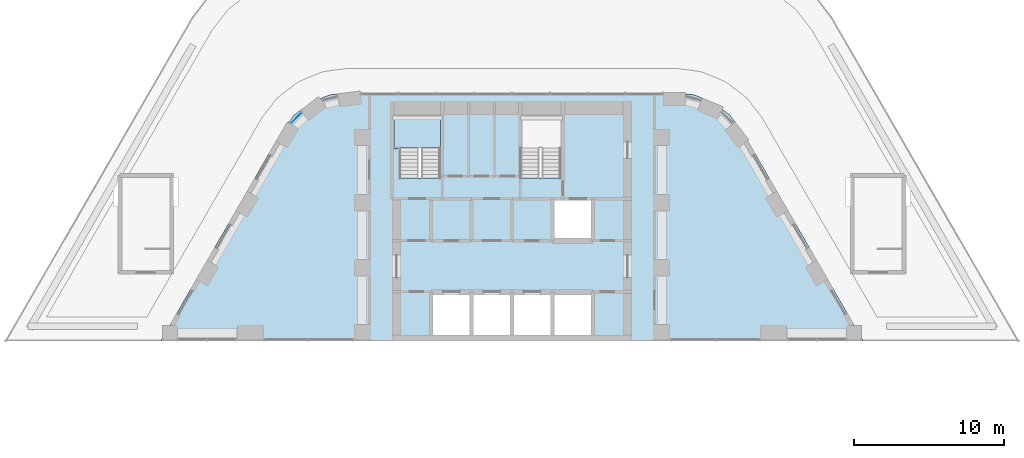
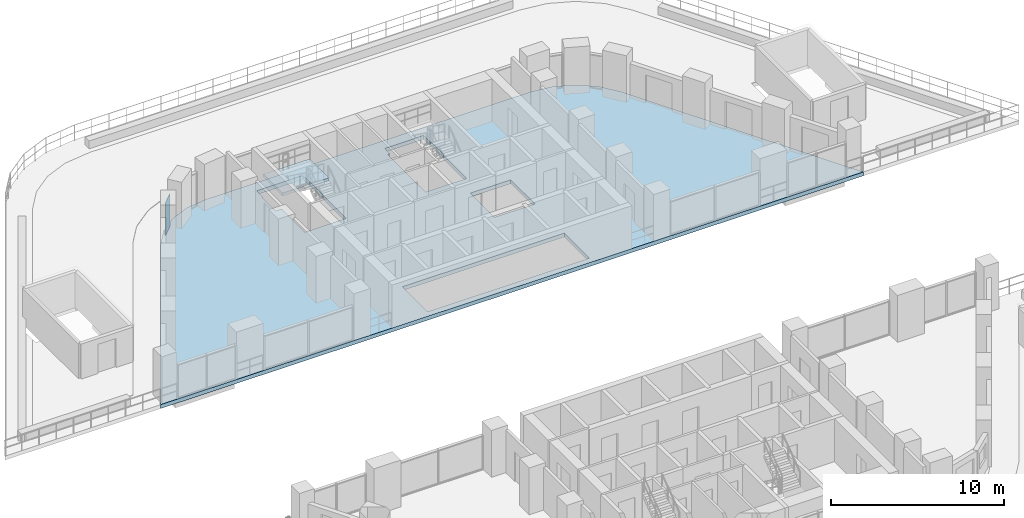
# One storey, part 8 of 24: 2 slabs, 1 plate, 2 elements without a shape of their own.
"""IFC4 building model written with IfcOpenShell, lengths in metres."""

from ifc_helpers import new_model, si_unit, direction, frame, origin, origin_2d, place, context, subcontext, project, spatial, polyline, rectangle, outline, extrude, material, layer, layer_set, type_object, element, aggregate, save


model = new_model("IFC4")

# Units and contexts
model_context = context("Model", 3, precision=1e-05, world=origin(), true_north=direction((0.0, 1.0)))
body_context = subcontext(model_context, "Body", "Model", "MODEL_VIEW")
ifc_project = project(units=[si_unit("LENGTHUNIT", "METRE"), si_unit("AREAUNIT", "SQUARE_METRE"), si_unit("VOLUMEUNIT", "CUBIC_METRE"), si_unit("PLANEANGLEUNIT", "RADIAN"), si_unit("MASSUNIT", "GRAM", prefix="KILO")], contexts=[model_context])

# Site, building, storey
site_placement = place(None, origin())
site = spatial("IfcSite", under=ifc_project, at=site_placement, CompositionType="ELEMENT")
building_placement = place(site_placement, origin())
building = spatial("IfcBuilding", under=site, at=building_placement, Name="Nakaniwa Court", CompositionType="ELEMENT")
storey_placement = place(building_placement, frame((0.0, 0.0, 28.199951171875)))
storey = spatial("IfcBuildingStorey", under=building, at=storey_placement, Name="L06", CompositionType="ELEMENT", Elevation=28.199951171875)

# Curtain wall, plate
ifc_material_1 = material(Name="Black anodised aluminium frame with dark low-E laminated double glazing", Category="aluminium")
ifc_layer_1 = layer(ifc_material_1, 0.199951171875)
ifc_layer_set_1 = layer_set([ifc_layer_1], Name="Black anodised aluminium frame with dark low-E laminated double glazing")
curtain_wall_type = type_object("IfcCurtainWallType", Name="Amenity and sky level curtain wall", PredefinedType="NOTDEFINED", material=ifc_layer_set_1)
curtain_wall_placement = place(storey_placement, origin())
curtain_wall = element("IfcCurtainWall", 1, at=curtain_wall_placement, inside=storey, type_object=curtain_wall_type, Name="L06 curtain wall CW3 28", PredefinedType="NOTDEFINED")
ifc_material_2 = material(Name="Dark toughened glass", Category="glass")
ifc_layer_2 = layer(ifc_material_2, 0.006, Name="Outer pane")
ifc_material_3 = material(Name="Argon filled cavity")
ifc_layer_3 = layer(ifc_material_3, 0.016, Name="Cavity")
ifc_material_4 = material(Name="Dark laminated safety glass", Category="glass")
ifc_layer_4 = layer(ifc_material_4, 0.006, Name="Inner pane")
ifc_layer_set_2 = layer_set([ifc_layer_2, ifc_layer_3, ifc_layer_4], Name="Dark low-E laminated double glazing")
plate_type = type_object("IfcPlateType", Name="Amenity and sky level curtain wall glass panel", PredefinedType="CURTAIN_PANEL", material=ifc_layer_set_2)
plate_placement = place(storey_placement, frame((65.618896484375, 102.28759765625, 0.05517578125), z_axis=(0.0, 0.0, 1.0), x_axis=(-0.709026393377, -0.70518194354, 0.0)))
plate = element("IfcPlate", 2, at=plate_placement, type_object=plate_type, Name="CW3 panel 1.1", PredefinedType="CURTAIN_PANEL", context=body_context, shape_type="SweptSolid", body=[
    extrude(rectangle(XDim=0.982421875, YDim=0.028076171875, at=origin_2d()), origin(), (0.0, 0.0, 1.0), 2.31494140625),
])
aggregate(curtain_wall, [plate])

# Slab
ifc_material_5 = material(Name="Concrete C100/115", Category="concrete")
ifc_layer_5 = layer(ifc_material_5, 0.27490234375)
ifc_layer_set_3 = layer_set([ifc_layer_5], Name="Concrete C100/115")
slab_type_1 = type_object("IfcSlabType", Name="Concrete C100/115 post tensioned floor slab 275", PredefinedType="FLOOR", material=ifc_layer_set_3)
slab_1_placement = place(storey_placement, frame((0.0, 0.0, -0.27490234375)))
element("IfcSlab", 3, at=slab_1_placement, inside=storey, type_object=slab_type_1, Name="FLOOR SLAB", PredefinedType="FLOOR", context=body_context, shape_type="SweptSolid", body=[
    extrude(outline(polyline([(64.642578125, 101.39990234375), (56.5595703125, 87.39990234375), (103.4404296875, 87.39990234375), (95.357421875, 101.39990234375), (94.531005859375, 102.47705078125), (93.4541015625, 103.30322265625), (92.199951171875, 103.82275390625), (90.854248046875, 104.0), (69.145751953125, 104.0), (67.800048828125, 103.82275390625), (66.5458984375, 103.30322265625), (65.468994140625, 102.47705078125), (64.642578125, 101.39990234375)]), holes=[polyline([(85.39990234375, 87.800048828125), (85.39990234375, 90.699951171875), (82.699951171875, 90.699951171875), (80.0, 90.699951171875), (77.300048828125, 90.699951171875), (74.60009765625, 90.699951171875), (74.60009765625, 87.800048828125), (77.300048828125, 87.800048828125), (80.0, 87.800048828125), (82.699951171875, 87.800048828125), (85.39990234375, 87.800048828125)]), polyline([(75.22509765625, 98.2900390625), (75.22509765625, 100.985107421875), (75.264892578125, 100.985107421875), (75.264892578125, 102.5400390625), (75.22509765625, 102.5400390625), (75.22509765625, 102.675048828125), (75.22509765625, 103.27490234375), (72.125, 103.27490234375), (72.125, 102.5400390625), (72.0849609375, 102.5400390625), (72.0849609375, 100.985107421875), (72.47509765625, 100.985107421875), (72.47509765625, 98.2900390625), (75.22509765625, 98.2900390625)]), polyline([(82.699951171875, 96.89990234375), (82.699951171875, 94.10009765625), (85.39990234375, 94.10009765625), (85.39990234375, 96.89990234375), (82.699951171875, 96.89990234375)]), polyline([(80.52490234375, 98.2900390625), (83.27490234375, 98.2900390625), (83.27490234375, 100.985107421875), (83.31494140625, 100.985107421875), (83.31494140625, 102.5400390625), (83.27490234375, 102.5400390625), (83.27490234375, 102.675048828125), (83.27490234375, 103.27490234375), (80.675048828125, 103.27490234375), (80.675048828125, 102.675048828125), (80.52490234375, 102.675048828125), (80.52490234375, 98.2900390625)])]), origin(), (0.0, 0.0, 1.0), 0.27490234375),
])

# Stair, slab
ifc_material_6 = material(Name="Concrete C80/100", Category="concrete")
stair_type = type_object("IfcStairType", Name="Dog leg stair 1300 wide 18 risers", PredefinedType="HALF_TURN_STAIR", material=ifc_material_6)
stair_placement = place(storey_placement, origin())
stair = element("IfcStair", 4, at=stair_placement, inside=storey, type_object=stair_type, Name="L06 Stair ST1", PredefinedType="HALF_TURN_STAIR")
ifc_layer_6 = layer(ifc_material_6, 0.199951171875)
ifc_layer_set_4 = layer_set([ifc_layer_6], Name="Concrete C80/100")
slab_type_2 = type_object("IfcSlabType", Name="Stair landing concrete", PredefinedType="LANDING", material=ifc_layer_set_4)
slab_2_placement = place(storey_placement, frame((0.0, 0.0, 1.449951171875)))
slab_2 = element("IfcSlab", 5, at=slab_2_placement, type_object=slab_type_2, Name="ST1 landing 1", PredefinedType="LANDING", context=body_context, shape_type="SweptSolid", body=[
    extrude(outline(polyline([(75.22509765625, 100.27490234375), (75.22509765625, 102.5), (72.125, 102.5), (72.125, 100.27490234375), (75.22509765625, 100.27490234375)])), origin(), (0.0, 0.0, 1.0), 0.2001953125),
])
aggregate(stair, [slab_2])

save(model, "model.ifc")
